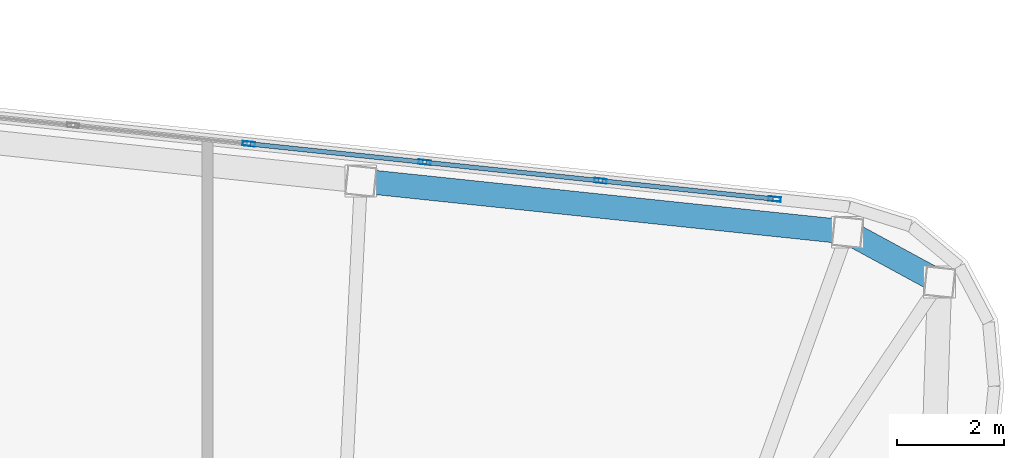
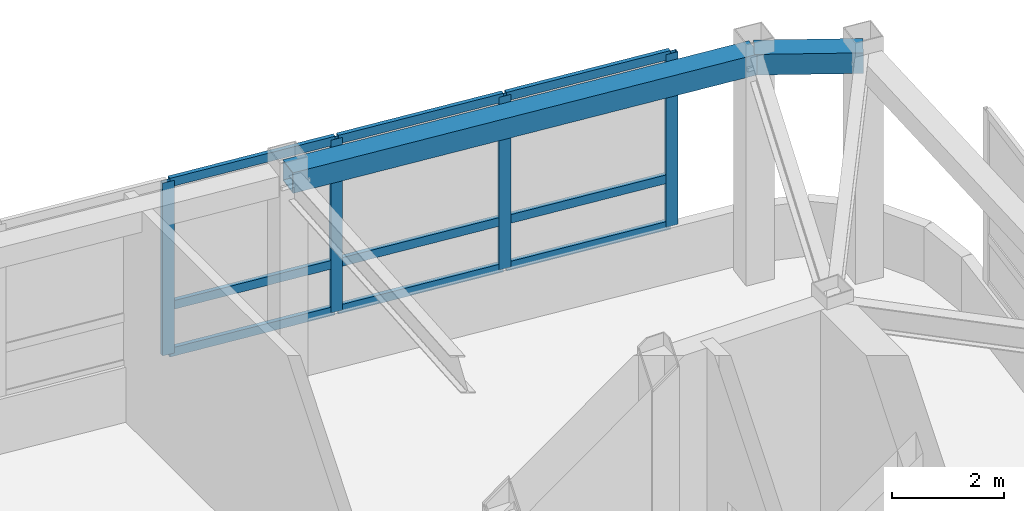
# One storey, part 17 of 21: 13 members, 2 beams, 1 element without a shape of its own.
"""IFC4 building model written with IfcOpenShell, lengths in metres."""

import ifcopenshell
import ifcopenshell.guid

model = None  # the IFC model being written
_history = None  # IfcOwnerHistory: only IFC2X3 demands one
_inside = {}  # id of a spatial element -> (the spatial element, [elements in it])
_under = {}  # id of a project, library or spatial element -> (it, [spatial elements below it])
_declared = {}  # id of a project -> (the project, [libraries it declares])
_typed = {}  # id of a type object -> (the type object, [elements of that type])
_made_of = {}  # id of a material, layer set ... -> (it, [elements and type objects made of it])


def new_model(schema):
    """Start an empty IFC model of exactly this schema.

    Asked for "IFC4X3", IfcOpenShell would pick the latest addendum, in which some entities
    have other attributes; the version numbers below select the first issue.
    IFC2X3 requires an IfcOwnerHistory on every rooted entity: one is made here for all.
    """
    global model, _history
    if schema == "IFC4X3":
        model = ifcopenshell.file(schema_version=(4, 3, 0, 0))
    else:
        model = ifcopenshell.file(schema=schema)
    _inside.clear()
    _under.clear()
    _declared.clear()
    _typed.clear()
    _made_of.clear()
    _history = None
    if model.schema == "IFC2X3":
        org = make("IfcOrganization", Name="unknown")
        user = make(
            "IfcPersonAndOrganization",
            ThePerson=make("IfcPerson", FamilyName="unknown"),
            TheOrganization=org,
        )
        app = make(
            "IfcApplication",
            ApplicationDeveloper=org,
            Version="unknown",
            ApplicationFullName="unknown",
            ApplicationIdentifier="unknown",
        )
        _history = make(
            "IfcOwnerHistory",
            OwningUser=user,
            OwningApplication=app,
            ChangeAction="ADDED",
            CreationDate=0,
        )
    return model


def make(cls, **values):
    """One entity of the class cls with the attributes given. An attribute that is None is left unset."""
    return model.create_entity(
        cls, **{name: value for name, value in values.items() if value is not None}
    )


def rooted(cls, **values):
    """An entity with a GlobalId (a new one), such as an element, a storey or a relation."""
    return make(cls, GlobalId=ifcopenshell.guid.new(), OwnerHistory=_history, **values)


def si_unit(unit_type, name, prefix=None):
    """IfcSIUnit, for example si_unit("LENGTHUNIT", "METRE", prefix="MILLI")."""
    return make("IfcSIUnit", UnitType=unit_type, Prefix=prefix, Name=name)


def assignment(units):
    """IfcUnitAssignment: the units of a project."""
    return None if units is None else make("IfcUnitAssignment", Units=units)


def point(xyz):
    """IfcCartesianPoint."""
    return None if xyz is None else make("IfcCartesianPoint", Coordinates=xyz)


def direction(xyz):
    """IfcDirection."""
    return None if xyz is None else make("IfcDirection", DirectionRatios=xyz)


def frame(location, z_axis=None, x_axis=None):
    """IfcAxis2Placement3D, a coordinate frame: its origin and axes. An axis left out is left unset."""
    return make(
        "IfcAxis2Placement3D",
        Location=point(location),
        Axis=direction(z_axis),
        RefDirection=direction(x_axis),
    )


def frame_2d(location, x_axis=None):
    """IfcAxis2Placement2D, a coordinate frame in the plane: its origin and x axis."""
    return make(
        "IfcAxis2Placement2D", Location=point(location), RefDirection=direction(x_axis)
    )


def origin():
    """The frame at (0, 0, 0) with its axes left unset."""
    return frame((0.0, 0.0, 0.0))


def origin_2d():
    """The frame at (0, 0) in the plane with its x axis left unset."""
    return frame_2d((0.0, 0.0))


def place(relative_to, where):
    """IfcLocalPlacement: puts the frame where relative to a parent placement (None: the world)."""
    return make(
        "IfcLocalPlacement", PlacementRelTo=relative_to, RelativePlacement=where
    )


def context(
    kind, dimensions, precision=None, world=None, true_north=None, identifier=None
):
    """IfcGeometricRepresentationContext, for example the 3D "Model" context."""
    return make(
        "IfcGeometricRepresentationContext",
        ContextIdentifier=identifier,
        ContextType=kind,
        CoordinateSpaceDimension=dimensions,
        Precision=precision,
        WorldCoordinateSystem=world,
        TrueNorth=true_north,
    )


def subcontext(parent, identifier, kind, view, scale=None):
    """IfcGeometricRepresentationSubContext, for example "Body" below "Model"."""
    return make(
        "IfcGeometricRepresentationSubContext",
        ContextIdentifier=identifier,
        ContextType=kind,
        ParentContext=parent,
        TargetScale=scale,
        TargetView=view,
    )


def project(units=None, contexts=None):
    """IfcProject with its units and contexts."""
    return rooted(
        "IfcProject",
        Name="project",
        RepresentationContexts=contexts,
        UnitsInContext=assignment(units),
    )


def spatial(cls, under=None, at=None, **own):
    """A site, building, storey or space (cls), placed at a placement, below another one or the project."""
    s = rooted(cls, ObjectPlacement=at, **own)
    if under is not None:
        _under.setdefault(under.id(), (under, []))[1].append(s)
    return s


def profile(cls, at=None, kind="AREA", **sizes):
    """A parametric profile (cls). Its sizes go by their IFC names, for example OverallWidth=200.0."""
    return make(cls, ProfileType=kind, Position=at, **sizes)


def hollow_rectangle(**sizes):
    """IfcRectangleHollowProfileDef."""
    return profile("IfcRectangleHollowProfileDef", **sizes)


def extrude(swept, where, along, depth):
    """IfcExtrudedAreaSolid: the profile swept, set in the frame where, extruded along a direction by depth."""
    return make(
        "IfcExtrudedAreaSolid",
        SweptArea=swept,
        Position=where,
        ExtrudedDirection=direction(along),
        Depth=depth,
    )


def shape(context_of_items, identifier, shape_type, items):
    """IfcShapeRepresentation: the items that make up one representation, for example the "Body"."""
    return make(
        "IfcShapeRepresentation",
        ContextOfItems=context_of_items,
        RepresentationIdentifier=identifier,
        RepresentationType=shape_type,
        Items=items,
    )


def material(Name=None, Category=None):
    """IfcMaterial."""
    return make("IfcMaterial", Name=Name, Category=Category)


def layer(
    of_material, thickness, ventilated=None, Name=None, Category=None, Priority=None
):
    """IfcMaterialLayer: one layer of a wall or slab, of a material (None: an air gap)."""
    return make(
        "IfcMaterialLayer",
        Material=of_material,
        LayerThickness=thickness,
        IsVentilated=ventilated,
        Name=Name,
        Category=Category,
        Priority=Priority,
    )


def layer_set(layers, Name=None):
    """IfcMaterialLayerSet."""
    return make("IfcMaterialLayerSet", MaterialLayers=layers, LayerSetName=Name)


def material_profile(
    of_material, cross_section, Name=None, Category=None, Priority=None
):
    """IfcMaterialProfile: a cross section and its material."""
    return make(
        "IfcMaterialProfile",
        Name=Name,
        Material=of_material,
        Profile=cross_section,
        Priority=Priority,
        Category=Category,
    )


def profile_set(profiles, Name=None, composite=None):
    """IfcMaterialProfileSet."""
    return make(
        "IfcMaterialProfileSet",
        Name=Name,
        MaterialProfiles=profiles,
        CompositeProfile=composite,
    )


def made_of(thing, what):
    """Note that an element or type object is made of a material, layer set ...; save() writes the relation."""
    if what is not None:
        _made_of.setdefault(what.id(), (what, []))[1].append(thing)
    return thing


def type_object(cls, material=None, **own):
    """A type object (cls), such as IfcWallType, which elements share."""
    return made_of(rooted(cls, **own), material)


def element(
    cls,
    number,
    at=None,
    inside=None,
    cuts=None,
    type_object=None,
    material=None,
    context=None,
    identifier="Body",
    shape_type=None,
    held_by="IfcProductDefinitionShape",
    body=None,
    shapes=None,
    **own,
):
    """One element of the class cls, such as IfcWall. Its Tag is "e" and its number.

    at: its placement. inside: the storey or other place that contains it. cuts: it is an
    opening in that element (IfcRelVoidsElement). A single representation is given by context,
    identifier, shape_type and body (its items); several are given by shapes. held_by: the class
    of the entity that holds the representations. save() writes the other relations.
    """
    e = rooted(cls, Tag="e%d" % number, ObjectPlacement=at, **own)
    if body is not None:
        shapes = [shape(context, identifier, shape_type, body)]
    if shapes is not None:
        e.Representation = make(held_by, Representations=shapes)
    if inside is not None:
        _inside.setdefault(inside.id(), (inside, []))[1].append(e)
    if cuts is not None:
        rooted(
            "IfcRelVoidsElement", RelatingBuildingElement=cuts, RelatedOpeningElement=e
        )
    if type_object is not None:
        _typed.setdefault(type_object.id(), (type_object, []))[1].append(e)
    return made_of(e, material)


def aggregate(whole, parts):
    """IfcRelAggregates: a whole, such as a stair, and the parts it consists of."""
    return rooted("IfcRelAggregates", RelatingObject=whole, RelatedObjects=parts)


def save(model, path):
    """Write the relations noted so far, then the file.

    IfcRelAggregates (storeys below a building ...), IfcRelContainedInSpatialStructure (elements
    in a storey), IfcRelDefinesByType, IfcRelAssociatesMaterial and IfcRelDeclares: one each for
    every whole, place, type object, material and project.
    """
    for whole, parts in _under.values():
        aggregate(whole, parts)
    for where, things in _inside.values():
        rooted(
            "IfcRelContainedInSpatialStructure",
            RelatedElements=things,
            RelatingStructure=where,
        )
    for kind, things in _typed.values():
        rooted("IfcRelDefinesByType", RelatedObjects=things, RelatingType=kind)
    for what, things in _made_of.values():
        rooted("IfcRelAssociatesMaterial", RelatedObjects=things, RelatingMaterial=what)
    for by, libraries in _declared.values():
        rooted("IfcRelDeclares", RelatingContext=by, RelatedDefinitions=libraries)
    model.write(path)


model = new_model("IFC4")

# Units and contexts
model_context = context("Model", 3, precision=1e-05, world=origin(), true_north=direction((0.0, 1.0)))
body_context = subcontext(model_context, "Body", "Model", "MODEL_VIEW")
ifc_project = project(units=[si_unit("LENGTHUNIT", "METRE"), si_unit("AREAUNIT", "SQUARE_METRE"), si_unit("VOLUMEUNIT", "CUBIC_METRE"), si_unit("PLANEANGLEUNIT", "RADIAN"), si_unit("MASSUNIT", "GRAM", prefix="KILO")], contexts=[model_context])

# Site, building, storey
site_placement = place(None, origin())
site = spatial("IfcSite", under=ifc_project, at=site_placement, CompositionType="ELEMENT")
building_placement = place(site_placement, origin())
building = spatial("IfcBuilding", under=site, at=building_placement, Name="Voryun Gate Residences", CompositionType="ELEMENT")
storey_placement = place(building_placement, frame((0.0, 0.0, 337.199951171875)))
storey = spatial("IfcBuildingStorey", under=building, at=storey_placement, Name="L82", CompositionType="ELEMENT", Elevation=337.199951171875)

# Beams
ifc_material_1 = material(Name="Steel SM355", Category="steel")
ifc_material_profile_1 = material_profile(ifc_material_1, hollow_rectangle(XDim=0.449951171875, YDim=0.449951171875, WallThickness=0.01806640625, at=origin_2d()), Name="BOX-450x450x18")
ifc_profile_set_1 = profile_set([ifc_material_profile_1], Name="Steel SM355")
beam_type = type_object("IfcBeamType", Name="BM_CROWN_RING", PredefinedType="BEAM", material=ifc_profile_set_1)
beam_1_placement = place(storey_placement, frame((23.603759765625, 13.9404296875, 4.735107421875), z_axis=(-0.87877849121, 0.477229885262, 0.0), x_axis=(-0.477229885262, -0.87877849121, 0.0)))
element("IfcBeam", 1, at=beam_1_placement, inside=storey, type_object=beam_type, Name="BM-L82-SPAND-10", PredefinedType="BEAM", context=body_context, shape_type="SweptSolid", body=[
    extrude(hollow_rectangle(XDim=0.449951171875, YDim=0.449951171875, WallThickness=0.01806640625, at=origin_2d()), origin(), (0.0, 0.0, 1.0), 1.95166015625),
])
beam_2_placement = place(storey_placement, frame((21.888671875, 14.871826171875, 4.735107421875), z_axis=(-0.994523919568, 0.104509202498, 0.0), x_axis=(-0.104509202498, -0.994523919568, 0.0)))
element("IfcBeam", 2, at=beam_2_placement, inside=storey, type_object=beam_type, Name="BM-L82-SPAND-11", PredefinedType="BEAM", context=body_context, shape_type="SweptSolid", body=[
    extrude(hollow_rectangle(XDim=0.449951171875, YDim=0.449951171875, WallThickness=0.01806640625, at=origin_2d()), origin(), (0.0, 0.0, 1.0), 9.1201171875),
])

# Curtain wall, members
ifc_material_2 = material(Name="Anodised aluminium", Category="aluminium")
ifc_layer = layer(ifc_material_2, 0.22998046875, Name="CW_SYS_LANTERN_DARK_GLASS")
ifc_layer_set = layer_set([ifc_layer], Name="Anodised aluminium")
curtain_wall_type = type_object("IfcCurtainWallType", Name="CW_SYS_LANTERN_DARK_GLASS", PredefinedType="NOTDEFINED", material=ifc_layer_set)
curtain_wall_placement = place(storey_placement, origin())
curtain_wall = element("IfcCurtainWall", 3, at=curtain_wall_placement, inside=storey, type_object=curtain_wall_type, Name="Curtain wall CW6-L82-11", PredefinedType="NOTDEFINED")
ifc_material_3 = material(Name="Anodised aluminium", Category="aluminium")
ifc_material_profile_2 = material_profile(ifc_material_3, hollow_rectangle(XDim=0.0849609375, YDim=0.22998046875, WallThickness=0.006103515625, at=origin_2d()), Name="ALU-MULL-230x85x6")
ifc_profile_set_2 = profile_set([ifc_material_profile_2], Name="Anodised aluminium")
member_type_1 = type_object("IfcMemberType", Name="CW_MULL_LANT", PredefinedType="MULLION", material=ifc_profile_set_2)
member_1_placement = place(storey_placement, frame((10.730712890625, 16.51708984375, 1.18994140625), z_axis=(0.0, 0.0, 1.0), x_axis=(0.10452775858, 0.994521969434, 0.0)))
member_1 = element("IfcMember", 4, at=member_1_placement, type_object=member_type_1, Name="CW6 mullion 11", PredefinedType="MULLION", context=body_context, shape_type="SweptSolid", body=[
    extrude(hollow_rectangle(XDim=0.0849609375, YDim=0.22998046875, WallThickness=0.006103515625, at=origin_2d()), origin(), (0.0, 0.0, 1.0), 3.77001953125),
])
member_2_placement = place(storey_placement, frame((14.007568359375, 16.172607421875, 1.18994140625), z_axis=(0.0, 0.0, 1.0), x_axis=(0.10452775858, 0.994521969434, 0.0)))
member_2 = element("IfcMember", 5, at=member_2_placement, type_object=member_type_1, Name="CW6 mullion 12", PredefinedType="MULLION", context=body_context, shape_type="SweptSolid", body=[
    extrude(hollow_rectangle(XDim=0.0849609375, YDim=0.22998046875, WallThickness=0.006103515625, at=origin_2d()), origin(), (0.0, 0.0, 1.0), 3.77001953125),
])
member_3_placement = place(storey_placement, frame((17.2841796875, 15.828369140625, 1.18994140625), z_axis=(0.0, 0.0, 1.0), x_axis=(0.10452775858, 0.994521969434, 0.0)))
member_3 = element("IfcMember", 6, at=member_3_placement, type_object=member_type_1, Name="CW6 mullion 13", PredefinedType="MULLION", context=body_context, shape_type="SweptSolid", body=[
    extrude(hollow_rectangle(XDim=0.0849609375, YDim=0.22998046875, WallThickness=0.006103515625, at=origin_2d()), origin(), (0.0, 0.0, 1.0), 3.77001953125),
])
member_4_placement = place(storey_placement, frame((20.53076171875, 15.487060546875, 1.18994140625), z_axis=(0.0, 0.0, 1.0), x_axis=(0.10452775858, 0.994521969434, 0.0)))
member_4 = element("IfcMember", 7, at=member_4_placement, type_object=member_type_1, Name="CW6 mullion 14", PredefinedType="MULLION", context=body_context, shape_type="SweptSolid", body=[
    extrude(hollow_rectangle(XDim=0.0849609375, YDim=0.22998046875, WallThickness=0.006103515625, at=origin_2d()), origin(), (0.0, 0.0, 1.0), 3.77001953125),
])
ifc_material_4 = material(Name="Anodised aluminium", Category="aluminium")
ifc_material_profile_3 = material_profile(ifc_material_4, hollow_rectangle(XDim=0.0849609375, YDim=0.18994140625, WallThickness=0.006103515625, at=origin_2d()), Name="ALU-TRAN-190x85x6")
ifc_profile_set_3 = profile_set([ifc_material_profile_3], Name="Anodised aluminium")
member_type_2 = type_object("IfcMemberType", Name="CW_TRAN_LANT", PredefinedType="USERDEFINED", material=ifc_profile_set_3)
member_5_placement = place(storey_placement, frame((10.7607421875, 16.513916015625, 1.219970703125), z_axis=(0.994520745033, -0.104539407398, 0.0), x_axis=(0.104539407398, 0.994520745033, 0.0)))
member_5 = element("IfcMember", 8, at=member_5_placement, type_object=member_type_2, Name="CW6 transom 11.1", ObjectType="TRANSOM", PredefinedType="USERDEFINED", context=body_context, shape_type="SweptSolid", body=[
    extrude(hollow_rectangle(XDim=0.0849609375, YDim=0.18994140625, WallThickness=0.006103515625, at=origin_2d()), origin(), (0.0, 0.0, 1.0), 3.234619140625),
])
member_6_placement = place(storey_placement, frame((10.7607421875, 16.513916015625, 2.239990234375), z_axis=(0.994520745033, -0.104539407398, 0.0), x_axis=(0.104539407398, 0.994520745033, 0.0)))
member_6 = element("IfcMember", 9, at=member_6_placement, type_object=member_type_2, Name="CW6 transom 11.2", ObjectType="TRANSOM", PredefinedType="USERDEFINED", context=body_context, shape_type="SweptSolid", body=[
    extrude(hollow_rectangle(XDim=0.0849609375, YDim=0.18994140625, WallThickness=0.006103515625, at=origin_2d()), origin(), (0.0, 0.0, 1.0), 3.234619140625),
])
member_7_placement = place(storey_placement, frame((10.7607421875, 16.513916015625, 4.929931640625), z_axis=(0.994520745033, -0.104539407398, 0.0), x_axis=(0.104539407398, 0.994520745033, 0.0)))
member_7 = element("IfcMember", 10, at=member_7_placement, type_object=member_type_2, Name="CW6 transom 11.3", ObjectType="TRANSOM", PredefinedType="USERDEFINED", context=body_context, shape_type="SweptSolid", body=[
    extrude(hollow_rectangle(XDim=0.0849609375, YDim=0.18994140625, WallThickness=0.006103515625, at=origin_2d()), origin(), (0.0, 0.0, 1.0), 3.234619140625),
])
member_8_placement = place(storey_placement, frame((14.037353515625, 16.16943359375, 1.219970703125), z_axis=(0.994520745033, -0.104539407398, 0.0), x_axis=(0.104539407398, 0.994520745033, 0.0)))
member_8 = element("IfcMember", 11, at=member_8_placement, type_object=member_type_2, Name="CW6 transom 12.1", ObjectType="TRANSOM", PredefinedType="USERDEFINED", context=body_context, shape_type="SweptSolid", body=[
    extrude(hollow_rectangle(XDim=0.0849609375, YDim=0.18994140625, WallThickness=0.006103515625, at=origin_2d()), origin(), (0.0, 0.0, 1.0), 3.234619140625),
])
member_9_placement = place(storey_placement, frame((14.037353515625, 16.16943359375, 2.239990234375), z_axis=(0.994520745033, -0.104539407398, 0.0), x_axis=(0.104539407398, 0.994520745033, 0.0)))
member_9 = element("IfcMember", 12, at=member_9_placement, type_object=member_type_2, Name="CW6 transom 12.2", ObjectType="TRANSOM", PredefinedType="USERDEFINED", context=body_context, shape_type="SweptSolid", body=[
    extrude(hollow_rectangle(XDim=0.0849609375, YDim=0.18994140625, WallThickness=0.006103515625, at=origin_2d()), origin(), (0.0, 0.0, 1.0), 3.234619140625),
])
member_10_placement = place(storey_placement, frame((14.037353515625, 16.16943359375, 4.929931640625), z_axis=(0.994520745033, -0.104539407398, 0.0), x_axis=(0.104539407398, 0.994520745033, 0.0)))
member_10 = element("IfcMember", 13, at=member_10_placement, type_object=member_type_2, Name="CW6 transom 12.3", ObjectType="TRANSOM", PredefinedType="USERDEFINED", context=body_context, shape_type="SweptSolid", body=[
    extrude(hollow_rectangle(XDim=0.0849609375, YDim=0.18994140625, WallThickness=0.006103515625, at=origin_2d()), origin(), (0.0, 0.0, 1.0), 3.234619140625),
])
member_11_placement = place(storey_placement, frame((17.31396484375, 15.8251953125, 1.219970703125), z_axis=(0.994522138405, -0.104526150903, 0.0), x_axis=(0.104526150903, 0.994522138405, 0.0)))
member_11 = element("IfcMember", 14, at=member_11_placement, type_object=member_type_2, Name="CW6 transom 13.1", ObjectType="TRANSOM", PredefinedType="USERDEFINED", context=body_context, shape_type="SweptSolid", body=[
    extrude(hollow_rectangle(XDim=0.0849609375, YDim=0.18994140625, WallThickness=0.006103515625, at=origin_2d()), origin(), (0.0, 0.0, 1.0), 3.20458984375),
])
member_12_placement = place(storey_placement, frame((17.31396484375, 15.8251953125, 2.239990234375), z_axis=(0.994522138405, -0.104526150903, 0.0), x_axis=(0.104526150903, 0.994522138405, 0.0)))
member_12 = element("IfcMember", 15, at=member_12_placement, type_object=member_type_2, Name="CW6 transom 13.2", ObjectType="TRANSOM", PredefinedType="USERDEFINED", context=body_context, shape_type="SweptSolid", body=[
    extrude(hollow_rectangle(XDim=0.0849609375, YDim=0.18994140625, WallThickness=0.006103515625, at=origin_2d()), origin(), (0.0, 0.0, 1.0), 3.20458984375),
])
member_13_placement = place(storey_placement, frame((17.31396484375, 15.8251953125, 4.929931640625), z_axis=(0.994522138405, -0.104526150903, 0.0), x_axis=(0.104526150903, 0.994522138405, 0.0)))
member_13 = element("IfcMember", 16, at=member_13_placement, type_object=member_type_2, Name="CW6 transom 13.3", ObjectType="TRANSOM", PredefinedType="USERDEFINED", context=body_context, shape_type="SweptSolid", body=[
    extrude(hollow_rectangle(XDim=0.0849609375, YDim=0.18994140625, WallThickness=0.006103515625, at=origin_2d()), origin(), (0.0, 0.0, 1.0), 3.20458984375),
])
aggregate(curtain_wall, [member_1, member_2, member_3, member_4, member_5, member_6, member_7, member_8, member_9, member_10, member_11, member_12, member_13])

save(model, "model.ifc")
